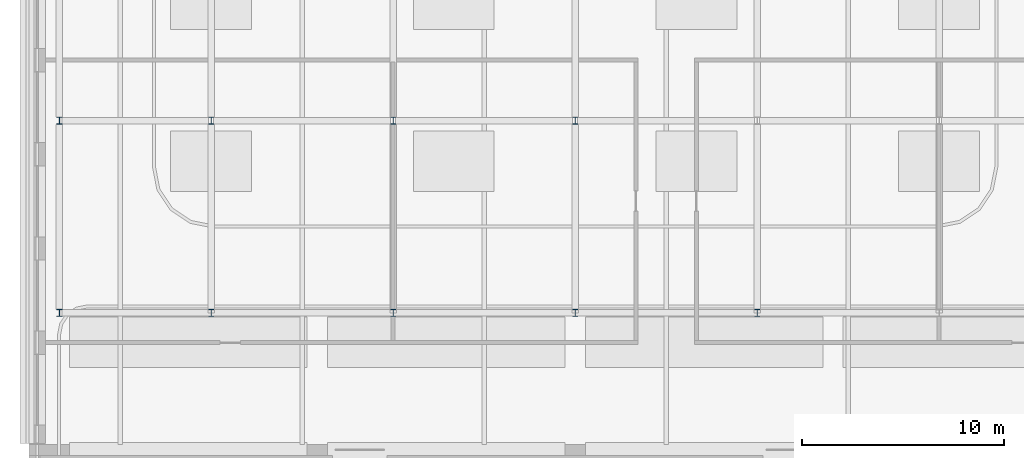
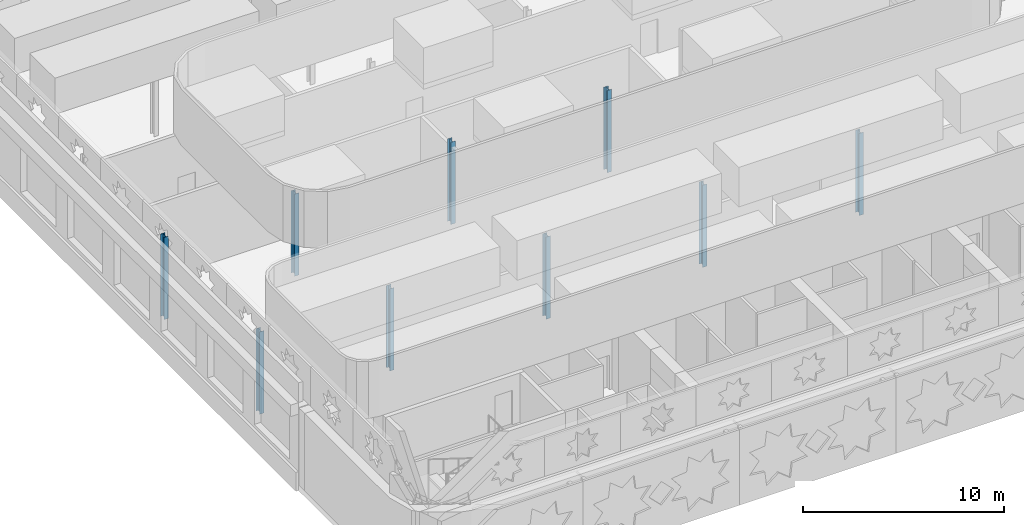
# One storey, part 1 of 14: 9 columns.
"""IFC4 building model written with IfcOpenShell, lengths in metres."""

from ifc_helpers import new_model, si_unit, direction, frame, origin, origin_2d, place, context, subcontext, project, spatial, i_section, extrude, material, material_profile, profile_set, type_object, element, save


model = new_model("IFC4")

# Units and contexts
model_context = context("Model", 3, precision=1e-05, world=origin(), true_north=direction((0.0, 1.0)))
body_context = subcontext(model_context, "Body", "Model", "MODEL_VIEW")
ifc_project = project(units=[si_unit("LENGTHUNIT", "METRE"), si_unit("AREAUNIT", "SQUARE_METRE"), si_unit("VOLUMEUNIT", "CUBIC_METRE"), si_unit("PLANEANGLEUNIT", "RADIAN"), si_unit("MASSUNIT", "GRAM", prefix="KILO")], contexts=[model_context])

# Site, building, storey
site_placement = place(None, origin())
site = spatial("IfcSite", under=ifc_project, at=site_placement, CompositionType="ELEMENT")
building_placement = place(site_placement, origin())
building = spatial("IfcBuilding", under=site, at=building_placement, Name="Zellij Exchange Tower", CompositionType="ELEMENT")
storey_placement = place(building_placement, frame((0.0, 0.0, 305.5)))
storey = spatial("IfcBuildingStorey", under=building, at=storey_placement, Name="L71", CompositionType="ELEMENT", Elevation=305.5)

# Columns
ifc_material = material(Name="Structural steel ASTM A992 Gr 50", Category="steel")
ifc_material_profile = material_profile(ifc_material, i_section(OverallWidth=0.25390625, OverallDepth=0.35302734375, WebThickness=0.009521484375, FlangeThickness=0.016357421875, at=origin_2d()), Name="W14x61")
ifc_profile_set = profile_set([ifc_material_profile], Name="Structural steel ASTM A992 Gr 50")
column_type = type_object("IfcColumnType", Name="STR-COLUMN W14x61", PredefinedType="COLUMN", material=ifc_profile_set)
for number, where, z_axis, x_axis, name in (
    (1, (-25.5, 4.5, 0.0), (0.0, 0.0, 1.0), (1.0, 0.0, 0.0), "C6"),
    (2, (-18.0, 4.5, 0.0), (0.0, 0.0, 1.0), (1.0, 0.0, 0.0), "C6"),
    (3, (-9.0, 4.5, 0.0), (0.0, 0.0, 1.0), (1.0, 0.0, 0.0), "C6"),
    (4, (0.0, 4.5, 0.0), (0.0, 0.0, 1.0), (1.0, 0.0, 0.0), "C6"),
    (5, (9.0, 4.5, 0.0), (0.0, 0.0, 1.0), (1.0, 0.0, 0.0), "C6"),
    (6, (-25.5, 14.0, 0.0), (0.0, 0.0, 1.0), (1.0, 0.0, 0.0), "C6"),
    (7, (-18.0, 14.0, 0.0), (0.0, 0.0, 1.0), (1.0, 0.0, 0.0), "C6"),
    (8, (-9.0, 14.0, 0.0), (0.0, 0.0, 1.0), (1.0, 0.0, 0.0), "C6"),
    (9, (0.0, 14.0, 0.0), (0.0, 0.0, 1.0), (1.0, 0.0, 0.0), "C6"),
):
    element("IfcColumn", number, at=place(storey_placement, frame(where, z_axis=z_axis, x_axis=x_axis)), inside=storey, type_object=column_type, Name=name, PredefinedType="COLUMN", context=body_context, shape_type="SweptSolid", body=[
        extrude(i_section(OverallWidth=0.25390625, OverallDepth=0.35302734375, WebThickness=0.009521484375, FlangeThickness=0.016357421875, at=origin_2d()), origin(), (0.0, 0.0, 1.0), 5.0),
    ])

save(model, "model.ifc")
